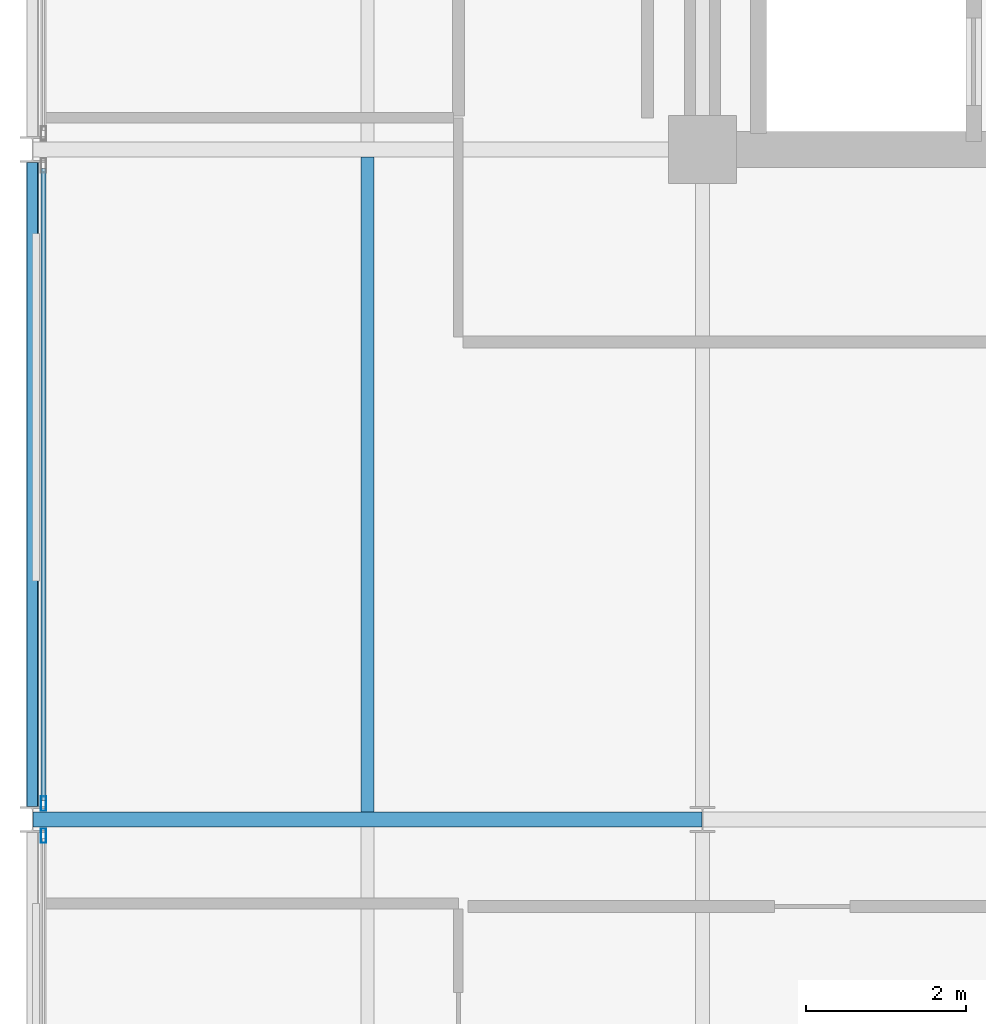
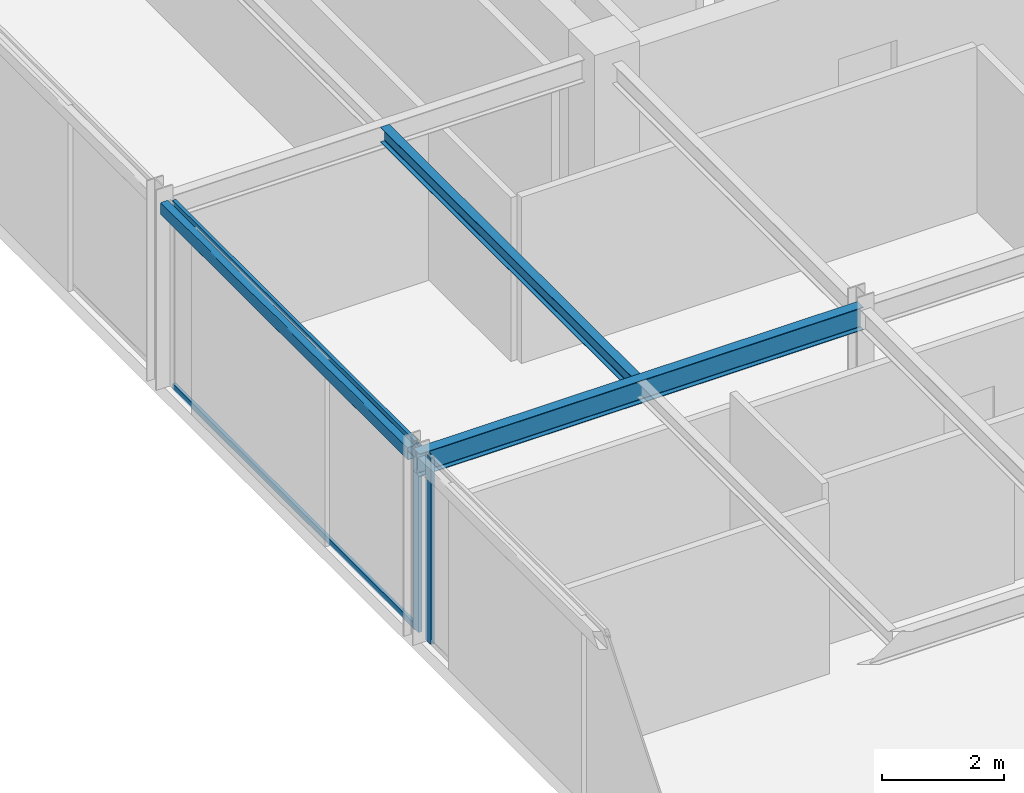
# One storey, part 9 of 26: 4 members, 3 beams, 2 elements without a shape of their own.
"""IFC4 building model written with IfcOpenShell, lengths in metres."""

from ifc_helpers import new_model, si_unit, direction, frame, origin, origin_2d, place, context, subcontext, project, spatial, hollow_rectangle, i_section, extrude, material, layer, layer_set, material_profile, profile_set, type_object, element, aggregate, save


model = new_model("IFC4")

# Units and contexts
model_context = context("Model", 3, precision=1e-05, world=origin(), true_north=direction((0.0, 1.0)))
body_context = subcontext(model_context, "Body", "Model", "MODEL_VIEW")
ifc_project = project(units=[si_unit("LENGTHUNIT", "METRE"), si_unit("AREAUNIT", "SQUARE_METRE"), si_unit("VOLUMEUNIT", "CUBIC_METRE"), si_unit("PLANEANGLEUNIT", "RADIAN"), si_unit("MASSUNIT", "GRAM", prefix="KILO")], contexts=[model_context])

# Site, building, storey
site_placement = place(None, origin())
site = spatial("IfcSite", under=ifc_project, at=site_placement, CompositionType="ELEMENT")
building_placement = place(site_placement, origin())
building = spatial("IfcBuilding", under=site, at=building_placement, Name="Nerrivon Quay Data Exchange", CompositionType="ELEMENT")
storey_placement = place(building_placement, frame((0.0, 0.0, 270.199951171875)))
storey = spatial("IfcBuildingStorey", under=building, at=storey_placement, Name="L64", CompositionType="ELEMENT", Elevation=270.199951171875)

# Beams
ifc_material_1 = material(Name="Steel Grade 350", Category="steel")
ifc_material_profile_1 = material_profile(ifc_material_1, i_section(OverallWidth=0.18994140625, OverallDepth=0.4541015625, WebThickness=0.008544921875, FlangeThickness=0.0126953125, FilletRadius=0.011474609375, at=origin_2d()), Name="460UB67.1")
ifc_profile_set_1 = profile_set([ifc_material_profile_1], Name="Steel Grade 350")
beam_type_1 = type_object("IfcBeamType", Name="BM-G6-460UB67", PredefinedType="BEAM", material=ifc_profile_set_1)
beam_1_placement = place(storey_placement, frame((0.0078125, 16.800048828125, 3.498046875), z_axis=(1.0, 0.0, 0.0), x_axis=(0.0, 1.0, 0.0)))
element("IfcBeam", 1, at=beam_1_placement, inside=storey, type_object=beam_type_1, Name="L64 EW Girder Y=16.8 (0.0..8.4)", PredefinedType="BEAM", context=body_context, shape_type="SweptSolid", body=[
    extrude(i_section(OverallWidth=0.18994140625, OverallDepth=0.4541015625, WebThickness=0.008544921875, FlangeThickness=0.0126953125, FilletRadius=0.011474609375, at=origin_2d()), origin(), (0.0, 0.0, 1.0), 8.38427734375),
])
ifc_material_profile_2 = material_profile(ifc_material_1, i_section(OverallWidth=0.1650390625, OverallDepth=0.303955078125, WebThickness=0.006103515625, FlangeThickness=0.01025390625, FilletRadius=0.011474609375, at=origin_2d()), Name="310UB40.4")
ifc_profile_set_2 = profile_set([ifc_material_profile_2], Name="Steel Grade 350")
beam_type_2 = type_object("IfcBeamType", Name="BM-J6-310UB40", PredefinedType="JOIST", material=ifc_profile_set_2)
beam_2_placement = place(storey_placement, frame((4.199951171875, 16.89501953125, 3.572998046875), z_axis=(0.0, 1.0, 0.0), x_axis=(-1.0, 0.0, 0.0)))
element("IfcBeam", 2, at=beam_2_placement, inside=storey, type_object=beam_type_2, Name="L64 Secondary Joist X=4.2 (16.8..25.2)", PredefinedType="JOIST", context=body_context, shape_type="SweptSolid", body=[
    extrude(i_section(OverallWidth=0.1650390625, OverallDepth=0.303955078125, WebThickness=0.006103515625, FlangeThickness=0.01025390625, FilletRadius=0.011474609375, at=origin_2d()), origin(), (0.0, 0.0, 1.0), 8.2099609375),
])
ifc_material_2 = material(Name="Steel Grade C350L0 (350 MPa)", Category="steel")
ifc_material_profile_3 = material_profile(ifc_material_2, hollow_rectangle(XDim=0.14990234375, YDim=0.25, WallThickness=0.009033203125, InnerFilletRadius=0.013427734375, OuterFilletRadius=0.0224609375, at=origin_2d()), Name="250x150x9.0RHS")
ifc_profile_set_3 = profile_set([ifc_material_profile_3], Name="Steel Grade C350L0 (350 MPa)")
beam_type_3 = type_object("IfcBeamType", Name="BM-SP4-250x150RHS", PredefinedType="SPANDREL", material=ifc_profile_set_3)
beam_3_placement = place(storey_placement, frame((0.0, 16.96337890625, 3.60009765625), z_axis=(0.0, 1.0, 0.0), x_axis=(-1.0, 0.0, 0.0)))
element("IfcBeam", 3, at=beam_3_placement, inside=storey, type_object=beam_type_3, Name="L64 NS Girder X=0.0 (16.8..25.2)", PredefinedType="SPANDREL", context=body_context, shape_type="SweptSolid", body=[
    extrude(hollow_rectangle(XDim=0.14990234375, YDim=0.25, WallThickness=0.009033203125, InnerFilletRadius=0.013427734375, OuterFilletRadius=0.0224609375, at=origin_2d()), origin(), (0.0, 0.0, 1.0), 8.0732421875),
])

# Curtain wall, member
ifc_material_3 = material(Name="Anodised aluminium 6063-T6", Category="aluminium")
ifc_layer = layer(ifc_material_3, 0.195068359375)
ifc_layer_set = layer_set([ifc_layer], Name="Anodised aluminium 6063-T6")
curtain_wall_type = type_object("IfcCurtainWallType", Name="CW-SYS-06", PredefinedType="NOTDEFINED", material=ifc_layer_set)
curtain_wall_1_placement = place(storey_placement, origin())
curtain_wall_1 = element("IfcCurtainWall", 4, at=curtain_wall_1_placement, inside=storey, type_object=curtain_wall_type, Name="L64 Unitised Curtain Wall 12", PredefinedType="NOTDEFINED")
ifc_material_profile_4 = material_profile(ifc_material_3, hollow_rectangle(XDim=0.06494140625, YDim=0.179931640625, WallThickness=0.00341796875, at=origin_2d()), Name="ALU-MULL-180x65")
ifc_profile_set_4 = profile_set([ifc_material_profile_4], Name="Anodised aluminium 6063-T6")
member_type_1 = type_object("IfcMemberType", Name="CWM-180x65", PredefinedType="MULLION", material=ifc_profile_set_4)
member_1_placement = place(storey_placement, frame((0.139892578125, 16.59912109375, 0.0), z_axis=(0.0, 0.0, 1.0), x_axis=(-1.0, 0.0, 0.0)))
member_1 = element("IfcMember", 5, at=member_1_placement, type_object=member_type_1, Name="CW06 mullion 2", PredefinedType="MULLION", context=body_context, shape_type="SweptSolid", body=[
    extrude(hollow_rectangle(XDim=0.06494140625, YDim=0.179931640625, WallThickness=0.00341796875, at=origin_2d()), origin(), (0.0, 0.0, 1.0), 3.72509765625),
])
aggregate(curtain_wall_1, [member_1])

# Curtain wall, members
curtain_wall_2_placement = place(storey_placement, origin())
curtain_wall_2 = element("IfcCurtainWall", 6, at=curtain_wall_2_placement, inside=storey, type_object=curtain_wall_type, Name="L64 Unitised Curtain Wall 13", PredefinedType="NOTDEFINED")
member_2_placement = place(storey_placement, frame((0.139892578125, 17.0009765625, 0.0), z_axis=(0.0, 0.0, 1.0), x_axis=(-1.0, 0.0, 0.0)))
member_2 = element("IfcMember", 7, at=member_2_placement, type_object=member_type_1, Name="CW06 mullion 1", PredefinedType="MULLION", context=body_context, shape_type="SweptSolid", body=[
    extrude(hollow_rectangle(XDim=0.06494140625, YDim=0.179931640625, WallThickness=0.00341796875, at=origin_2d()), origin(), (0.0, 0.0, 1.0), 3.72509765625),
])
ifc_material_profile_5 = material_profile(ifc_material_3, hollow_rectangle(XDim=0.06005859375, YDim=0.1201171875, WallThickness=0.003173828125, at=origin_2d()), Name="ALU-TRAN-120x60")
ifc_profile_set_5 = profile_set([ifc_material_profile_5], Name="Anodised aluminium 6063-T6")
member_type_2 = type_object("IfcMemberType", Name="CWT-120x60", PredefinedType="USERDEFINED", material=ifc_profile_set_5)
member_3_placement = place(storey_placement, frame((0.139892578125, 17.03857421875, 0.032470703125), z_axis=(0.0, 1.0, 0.0), x_axis=(-1.0, 0.0, 0.0)))
member_3 = element("IfcMember", 8, at=member_3_placement, type_object=member_type_2, Name="CW06 transom 1.1", ObjectType="TRANSOM", PredefinedType="USERDEFINED", context=body_context, shape_type="SweptSolid", body=[
    extrude(hollow_rectangle(XDim=0.06005859375, YDim=0.1201171875, WallThickness=0.003173828125, at=origin_2d()), origin(), (0.0, 0.0, 1.0), 7.9228515625),
])
member_4_placement = place(storey_placement, frame((0.139892578125, 17.03857421875, 3.692626953125), z_axis=(0.0, 1.0, 0.0), x_axis=(-1.0, 0.0, 0.0)))
member_4 = element("IfcMember", 9, at=member_4_placement, type_object=member_type_2, Name="CW06 transom 1.2", ObjectType="TRANSOM", PredefinedType="USERDEFINED", context=body_context, shape_type="SweptSolid", body=[
    extrude(hollow_rectangle(XDim=0.06005859375, YDim=0.1201171875, WallThickness=0.003173828125, at=origin_2d()), origin(), (0.0, 0.0, 1.0), 7.9228515625),
])
aggregate(curtain_wall_2, [member_2, member_3, member_4])

save(model, "model.ifc")
